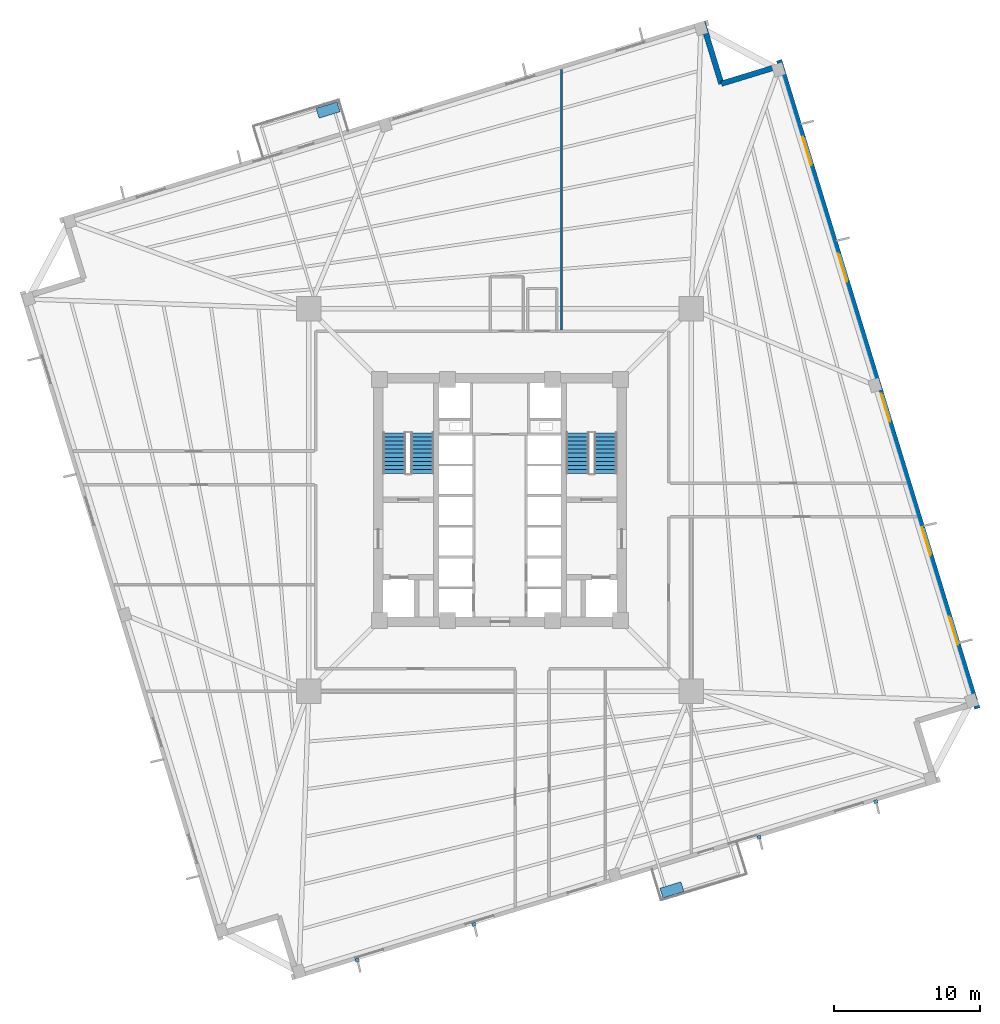
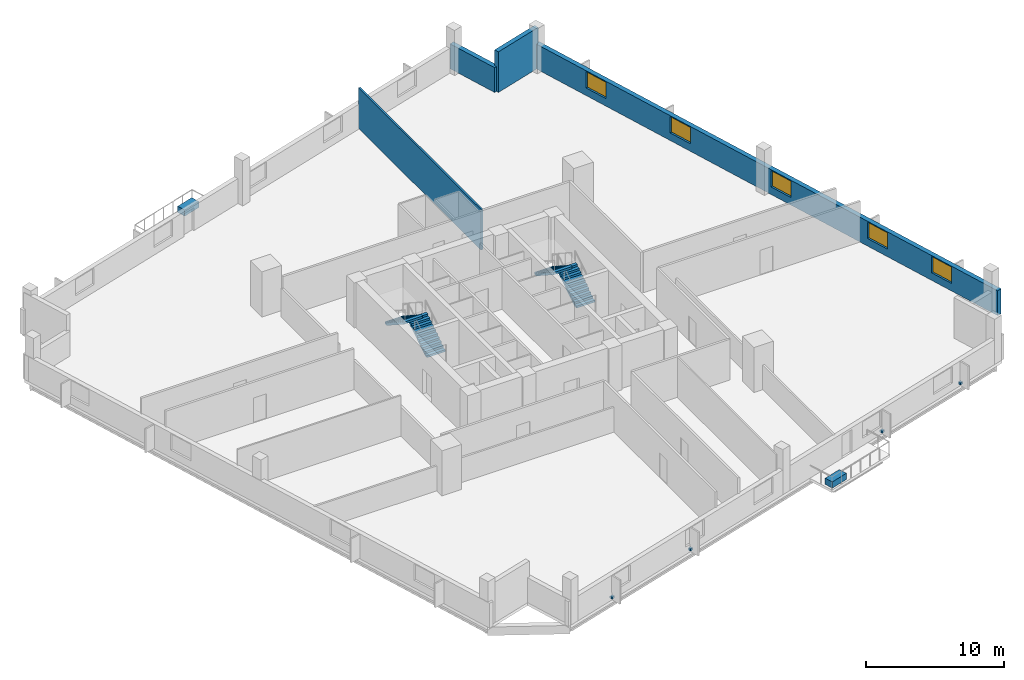
# One storey, part 5 of 8: 6 discrete accessories, 5 windows, 4 stair flights, 4 walls, 5 openings, 2 elements without a shape of their own.
"""IFC4 building model written with IfcOpenShell, lengths in metres."""

from ifc_helpers import new_model, si_unit, direction, frame, frame_2d, origin, origin_2d, place, context, subcontext, project, spatial, polyline, rectangle, outline, extrude, source, transform, mapped, material, layer, layer_set, type_object, element, fill, aggregate, save


model = new_model("IFC4")

# Units and contexts
model_context = context("Model", 3, precision=1e-05, world=origin(), true_north=direction((0.0, 1.0)))
body_context = subcontext(model_context, "Body", "Model", "MODEL_VIEW")
ifc_project = project(units=[si_unit("LENGTHUNIT", "METRE"), si_unit("AREAUNIT", "SQUARE_METRE"), si_unit("VOLUMEUNIT", "CUBIC_METRE"), si_unit("PLANEANGLEUNIT", "RADIAN"), si_unit("MASSUNIT", "GRAM", prefix="KILO"), si_unit("THERMODYNAMICTEMPERATUREUNIT", "KELVIN")], contexts=[model_context])

# Site, building, storey
site_placement = place(None, origin())
site = spatial("IfcSite", under=ifc_project, at=site_placement, CompositionType="ELEMENT")
building_placement = place(site_placement, origin())
building = spatial("IfcBuilding", under=site, at=building_placement, Name="Kosmvard Interchange Tower", CompositionType="ELEMENT")
storey_placement = place(building_placement, frame((0.0, 0.0, 135.199951171875)))
storey = spatial("IfcBuildingStorey", under=building, at=storey_placement, Name="L32", CompositionType="ELEMENT", Elevation=135.199951171875)

# Wall
ifc_material_1 = material(Name="Acoustic gypsum partition system")
ifc_layer_1 = layer(ifc_material_1, 0.14990234375, Name="Acoustic gypsum partition system")
ifc_layer_set_1 = layer_set([ifc_layer_1], Name="Acoustic gypsum partition system")
wall_type_1 = type_object("IfcWallType", Name="Acoustic Suite & Meeting Partition 150", PredefinedType="PARTITIONING", material=ifc_layer_set_1)
wall_1_placement = place(storey_placement, frame((4.199951171875, 11.64501953125, 0.0), z_axis=(0.0, 0.0, 1.0), x_axis=(0.0, 1.0, 0.0)))
element("IfcWall", 1, at=wall_1_placement, inside=storey, type_object=wall_type_1, Name="L32 Room Partition 01.1", PredefinedType="PARTITIONING", context=body_context, shape_type="SweptSolid", body=[
    extrude(rectangle(XDim=17.8046875, YDim=0.14990234375, at=frame_2d((8.90234375, 0.0))), origin(), (0.0, 0.0, 1.0), 3.60009765625),
])

# Wall, openings, windows
ifc_material_2 = material(Name="Precast concrete C45/55", Category="concrete")
ifc_layer_2 = layer(ifc_material_2, 0.3798828125, Name="Precast concrete C45/55")
ifc_layer_set_2 = layer_set([ifc_layer_2], Name="Precast concrete C45/55")
wall_type_2 = type_object("IfcWallType", Name="Lower Tower Precast Pier Wall 380 C45/55", PredefinedType="STANDARD", material=ifc_layer_set_2)
wall_2_placement = place(storey_placement, frame((32.65771484375, -14.26513671875, 0.0), z_axis=(0.0, 0.0, 1.0), x_axis=(-0.292373127906, 0.956304320851, 0.0)))
wall_2 = element("IfcWall", 2, at=wall_2_placement, inside=storey, type_object=wall_type_2, Name="L32 Precast Facade Wall F-E", PredefinedType="STANDARD", context=body_context, shape_type="SweptSolid", body=[
    extrude(rectangle(XDim=46.380126953125, YDim=0.3798828125, at=frame_2d((23.18994140625, 0.0))), origin(), (0.0, 0.0, 1.0), 2.199951171875),
])
opening_1_placement = place(wall_2_placement, frame((4.565673828125, 0.0, 0.669921875)))
opening_1 = element("IfcOpeningElement", 3, at=opening_1_placement, cuts=wall_2, Name="Opening L32-W06", PredefinedType="OPENING", context=body_context, shape_type="SweptSolid", body=[
    extrude(rectangle(XDim=2.0, YDim=1.449951171875, at=frame_2d((1.0, 0.72509765625))), frame((0.0, 0.199951171875, 0.0), z_axis=(0.0, -1.0, 0.0), x_axis=(1.0, 0.0, 0.0)), (0.0, 0.0, 1.0), 0.39990234375),
])
opening_2_placement = place(wall_2_placement, frame((10.9501953125, 0.0, 0.669921875)))
opening_2 = element("IfcOpeningElement", 4, at=opening_2_placement, cuts=wall_2, Name="Opening L32-W07", PredefinedType="OPENING", context=body_context, shape_type="SweptSolid", body=[
    extrude(rectangle(XDim=2.0, YDim=1.449951171875, at=frame_2d((1.0, 0.72509765625))), frame((0.0, 0.199951171875, 0.0), z_axis=(0.0, -1.0, 0.0), x_axis=(1.0, 0.0, 0.0)), (0.0, 0.0, 1.0), 0.39990234375),
])
opening_3_placement = place(wall_2_placement, frame((20.512451171875, 0.0, 0.669921875)))
opening_3 = element("IfcOpeningElement", 5, at=opening_3_placement, cuts=wall_2, Name="Opening L32-W08", PredefinedType="OPENING", context=body_context, shape_type="SweptSolid", body=[
    extrude(rectangle(XDim=2.0, YDim=1.449951171875, at=frame_2d((1.0, 0.72509765625))), frame((0.0, 0.199951171875, 0.0), z_axis=(0.0, -1.0, 0.0), x_axis=(1.0, 0.0, 0.0)), (0.0, 0.0, 1.0), 0.39990234375),
])
opening_4_placement = place(wall_2_placement, frame((30.538330078125, 0.0, 0.669921875)))
opening_4 = element("IfcOpeningElement", 6, at=opening_4_placement, cuts=wall_2, Name="Opening L32-W09", PredefinedType="OPENING", context=body_context, shape_type="SweptSolid", body=[
    extrude(rectangle(XDim=2.0, YDim=1.449951171875, at=frame_2d((1.0, 0.72509765625))), frame((0.0, 0.199951171875, 0.0), z_axis=(0.0, -1.0, 0.0), x_axis=(1.0, 0.0, 0.0)), (0.0, 0.0, 1.0), 0.39990234375),
])
opening_5_placement = place(wall_2_placement, frame((38.88671875, 0.0, 0.669921875)))
opening_5 = element("IfcOpeningElement", 7, at=opening_5_placement, cuts=wall_2, Name="Opening L32-W10", PredefinedType="OPENING", context=body_context, shape_type="SweptSolid", body=[
    extrude(rectangle(XDim=2.0, YDim=1.449951171875, at=frame_2d((1.0, 0.72509765625))), frame((0.0, 0.199951171875, 0.0), z_axis=(0.0, -1.0, 0.0), x_axis=(1.0, 0.0, 0.0)), (0.0, 0.0, 1.0), 0.39990234375),
])
ifc_material_3 = material(Name="Low-E solar-control double glazing", Category="glass")
window_type = type_object("IfcWindowType", Name="Transfer Zone Punched Window 2000x1450", PartitioningType="SINGLE_PANEL", PredefinedType="WINDOW", material=ifc_material_3)
shared_shape_1 = source(origin(), body_context, "Body", "SweptSolid", [
    extrude(rectangle(XDim=2.0, YDim=1.449951171875, at=frame_2d((1.0, 0.72509765625))), frame((0.0, 0.030029296875, 0.0), z_axis=(0.0, -1.0, 0.0), x_axis=(1.0, 0.0, 0.0)), (0.0, 0.0, 1.0), 0.06005859375),
])
window_1_placement = place(opening_1_placement, origin())
window_1 = element("IfcWindow", 8, at=window_1_placement, inside=storey, type_object=window_type, Name="L32 Facade Punched Window 06", OverallHeight=1.449951171875, OverallWidth=2.0, PartitioningType="SINGLE_PANEL", PredefinedType="WINDOW", context=body_context, shape_type="MappedRepresentation", body=[
    mapped(shared_shape_1, transform((0.0, 0.0, 0.0), scale=1.0)),
])
fill(opening_1, window_1)
window_2_placement = place(opening_2_placement, origin())
window_2 = element("IfcWindow", 9, at=window_2_placement, inside=storey, type_object=window_type, Name="L32 Facade Punched Window 07", OverallHeight=1.449951171875, OverallWidth=2.0, PartitioningType="SINGLE_PANEL", PredefinedType="WINDOW", context=body_context, shape_type="MappedRepresentation", body=[
    mapped(shared_shape_1, transform((0.0, 0.0, 0.0), scale=1.0)),
])
fill(opening_2, window_2)
window_3_placement = place(opening_3_placement, origin())
window_3 = element("IfcWindow", 10, at=window_3_placement, inside=storey, type_object=window_type, Name="L32 Facade Punched Window 08", OverallHeight=1.449951171875, OverallWidth=2.0, PartitioningType="SINGLE_PANEL", PredefinedType="WINDOW", context=body_context, shape_type="MappedRepresentation", body=[
    mapped(shared_shape_1, transform((0.0, 0.0, 0.0), scale=1.0)),
])
fill(opening_3, window_3)
window_4_placement = place(opening_4_placement, origin())
window_4 = element("IfcWindow", 11, at=window_4_placement, inside=storey, type_object=window_type, Name="L32 Facade Punched Window 09", OverallHeight=1.449951171875, OverallWidth=2.0, PartitioningType="SINGLE_PANEL", PredefinedType="WINDOW", context=body_context, shape_type="MappedRepresentation", body=[
    mapped(shared_shape_1, transform((0.0, 0.0, 0.0), scale=1.0)),
])
fill(opening_4, window_4)
window_5_placement = place(opening_5_placement, origin())
window_5 = element("IfcWindow", 12, at=window_5_placement, inside=storey, type_object=window_type, Name="L32 Facade Punched Window 10", OverallHeight=1.449951171875, OverallWidth=2.0, PartitioningType="SINGLE_PANEL", PredefinedType="WINDOW", context=body_context, shape_type="MappedRepresentation", body=[
    mapped(shared_shape_1, transform((0.0, 0.0, 0.0), scale=1.0)),
])
fill(opening_5, window_5)

# Walls
wall_3_placement = place(storey_placement, frame((19.20849609375, 29.724853515625, 0.0), z_axis=(0.0, 0.0, 1.0), x_axis=(-0.956312764915, -0.292345507338, 0.0)))
element("IfcWall", 13, at=wall_3_placement, inside=storey, type_object=wall_type_2, Name="L32 Precast Facade Wall N-NE1", PredefinedType="STANDARD", context=body_context, shape_type="SweptSolid", body=[
    extrude(rectangle(XDim=4.249755859375, YDim=0.3798828125, at=frame_2d((2.125, 0.0))), origin(), (0.0, 0.0, 1.0), 3.60009765625),
])
wall_4_placement = place(storey_placement, frame((15.144287109375, 28.482421875, 0.0), z_axis=(0.0, 0.0, 1.0), x_axis=(-0.292373601522, 0.956304176051, 0.0)))
element("IfcWall", 14, at=wall_4_placement, inside=storey, type_object=wall_type_2, Name="L32 Precast Facade Wall N-NE2", PredefinedType="STANDARD", context=body_context, shape_type="SweptSolid", body=[
    extrude(rectangle(XDim=4.43994140625, YDim=0.3798828125, at=frame_2d((2.219970703125, 0.0))), origin(), (0.0, 0.0, 1.0), 2.199951171875),
])

# Stair, stair flights
ifc_material_4 = material(Name="Concrete C50/60", Category="concrete")
stair_type = type_object("IfcStairType", Name="Dog-Leg Core Exit Stair H4000 C50/60", PredefinedType="HALF_TURN_STAIR", material=ifc_material_4)
stair_1_placement = place(storey_placement, origin())
stair_1 = element("IfcStair", 15, at=stair_1_placement, inside=storey, type_object=stair_type, Name="L32 Protected Exit Stair ST-1", PredefinedType="HALF_TURN_STAIR")
stair_flight_type = type_object("IfcStairFlightType", Name="Core Stair Flight W1550 H4000 C50/60", PredefinedType="STRAIGHT", material=ifc_material_4)
shared_shape_2 = source(origin(), body_context, "Body", "SweptSolid", [
    extrude(outline(polyline([(0.0, 0.0), (0.0, 0.181884765625), (0.280029296875, 0.181884765625), (0.280029296875, 0.363525390625), (0.56005859375, 0.363525390625), (0.56005859375, 0.54541015625), (0.840087890625, 0.54541015625), (0.840087890625, 0.727294921875), (1.1201171875, 0.727294921875), (1.1201171875, 0.9091796875), (1.39990234375, 0.9091796875), (1.39990234375, 1.0908203125), (1.679931640625, 1.0908203125), (1.679931640625, 1.272705078125), (1.9599609375, 1.272705078125), (1.9599609375, 1.45458984375), (2.239990234375, 1.45458984375), (2.239990234375, 1.636474609375), (2.52001953125, 1.636474609375), (2.52001953125, 1.818115234375), (2.800048828125, 1.818115234375), (2.800048828125, 2.0), (2.800048828125, 1.62744140625), (0.293701171875, 0.0), (0.0, 0.0)])), frame((0.0, 0.77490234375, 0.0), z_axis=(0.0, -1.0, 0.0), x_axis=(1.0, 0.0, 0.0)), (0.0, 0.0, 1.0), 1.550048828125),
])
stair_flight_1_placement = place(storey_placement, frame((-5.31494140625, 1.800048828125, 0.0), z_axis=(0.0, 0.0, 1.0), x_axis=(0.0, 1.0, 0.0)))
stair_flight_1 = element("IfcStairFlight", 16, at=stair_flight_1_placement, type_object=stair_flight_type, Name="ST-1 flight 1", NumberOfRisers=11, NumberOfTreads=10, PredefinedType="STRAIGHT", RiserHeight=0.181818182, TreadLength=0.28, context=body_context, shape_type="MappedRepresentation", body=[
    mapped(shared_shape_2, transform((0.0, 0.0, 0.0), scale=1.0)),
])
stair_flight_2_placement = place(storey_placement, frame((-7.22509765625, 4.60009765625, 2.0), z_axis=(0.0, 0.0, 1.0), x_axis=(0.0, -1.0, 0.0)))
stair_flight_2 = element("IfcStairFlight", 17, at=stair_flight_2_placement, type_object=stair_flight_type, Name="ST-1 flight 2", NumberOfRisers=11, NumberOfTreads=10, PredefinedType="STRAIGHT", RiserHeight=0.181818182, TreadLength=0.28, context=body_context, shape_type="MappedRepresentation", body=[
    mapped(shared_shape_2, transform((0.0, 0.0, 0.0), scale=1.0)),
])
aggregate(stair_1, [stair_flight_1, stair_flight_2])

stair_2_placement = place(storey_placement, origin())
stair_2 = element("IfcStair", 18, at=stair_2_placement, inside=storey, type_object=stair_type, Name="L32 Protected Exit Stair ST-2", PredefinedType="HALF_TURN_STAIR")
stair_flight_3_placement = place(storey_placement, frame((7.22509765625, 1.800048828125, 0.0), z_axis=(0.0, 0.0, 1.0), x_axis=(0.0, 1.0, 0.0)))
stair_flight_3 = element("IfcStairFlight", 19, at=stair_flight_3_placement, type_object=stair_flight_type, Name="ST-2 flight 1", NumberOfRisers=11, NumberOfTreads=10, PredefinedType="STRAIGHT", RiserHeight=0.181818182, TreadLength=0.28, context=body_context, shape_type="MappedRepresentation", body=[
    mapped(shared_shape_2, transform((0.0, 0.0, 0.0), scale=1.0)),
])
stair_flight_4_placement = place(storey_placement, frame((5.31494140625, 4.60009765625, 2.0), z_axis=(0.0, 0.0, 1.0), x_axis=(0.0, -1.0, 0.0)))
stair_flight_4 = element("IfcStairFlight", 20, at=stair_flight_4_placement, type_object=stair_flight_type, Name="ST-2 flight 2", NumberOfRisers=11, NumberOfTreads=10, PredefinedType="STRAIGHT", RiserHeight=0.181818182, TreadLength=0.28, context=body_context, shape_type="MappedRepresentation", body=[
    mapped(shared_shape_2, transform((0.0, 0.0, 0.0), scale=1.0)),
])
aggregate(stair_2, [stair_flight_3, stair_flight_4])

# Discrete accessories
ifc_material_5 = material(Name="Terracotta precast planter concrete C45/55", Category="masonry")
discrete_accessory_type_1 = type_object("IfcDiscreteAccessoryType", Name="Precast Tree-Balcony & Terrace Planter Box", PredefinedType="USERDEFINED", material=ifc_material_5)
shared_shape_3 = source(origin(), body_context, "Body", "SweptSolid", [
    extrude(rectangle(XDim=1.5, YDim=0.699951171875, at=origin_2d()), origin(), (0.0, 0.0, 1.0), 0.550048828125),
])
for number, where, z_axis, x_axis, name in (
    (21, (11.763427734375, -26.67626953125, 0.0), (0.0, 0.0, 1.0), (0.956304755963, 0.292371704723, 0.0), "L32 Balcony Tree Planter BAL-L32-SW"),
    (22, (-11.763427734375, 26.67626953125, 0.0), (0.0, 0.0, 1.0), (0.956304755963, 0.292371704723, 0.0), "L32 Balcony Tree Planter BAL-L32-NE"),
):
    element("IfcDiscreteAccessory", number, at=place(storey_placement, frame(where, z_axis=z_axis, x_axis=x_axis)), inside=storey, type_object=discrete_accessory_type_1, Name=name, ObjectType="PLANTER", PredefinedType="USERDEFINED", context=body_context, shape_type="MappedRepresentation", body=[
        mapped(shared_shape_3, transform((0.0, 0.0, 0.0), scale=1.0)),
    ])
ifc_material_6 = material(Name="Steel S355", Category="steel")
discrete_accessory_type_2 = type_object("IfcDiscreteAccessoryType", Name="Facade Fin Structural Cleat Bracket", PredefinedType="BRACKET", material=ifc_material_6)
shared_shape_4 = source(origin(), body_context, "Body", "SweptSolid", [
    extrude(rectangle(XDim=0.239990234375, YDim=0.260009765625, at=origin_2d()), origin(), (0.0, 0.0, 1.0), 0.179931640625),
])
for number, where, z_axis, x_axis, name in (
    (23, (-9.774169921875, -31.4833984375, 0.16015625), (0.0, 0.0, 1.0), (0.29237190653, -0.956304694264, 0.0), "L32 Sun-Breaker Anchor Bracket 01"),
    (24, (-1.79052734375, -29.04248046875, 0.16015625), (0.0, 0.0, 1.0), (0.29237190653, -0.956304694264, 0.0), "L32 Sun-Breaker Anchor Bracket 02"),
    (25, (17.724853515625, -23.076171875, 0.16015625), (0.0, 0.0, 1.0), (0.29237190653, -0.956304694264, 0.0), "L32 Sun-Breaker Anchor Bracket 03"),
    (26, (25.70849609375, -20.63525390625, 0.16015625), (0.0, 0.0, 1.0), (0.29237190653, -0.956304694264, 0.0), "L32 Sun-Breaker Anchor Bracket 04"),
):
    element("IfcDiscreteAccessory", number, at=place(storey_placement, frame(where, z_axis=z_axis, x_axis=x_axis)), inside=storey, type_object=discrete_accessory_type_2, Name=name, PredefinedType="BRACKET", context=body_context, shape_type="MappedRepresentation", body=[
        mapped(shared_shape_4, transform((0.0, 0.0, 0.0), scale=1.0)),
    ])

save(model, "model.ifc")
